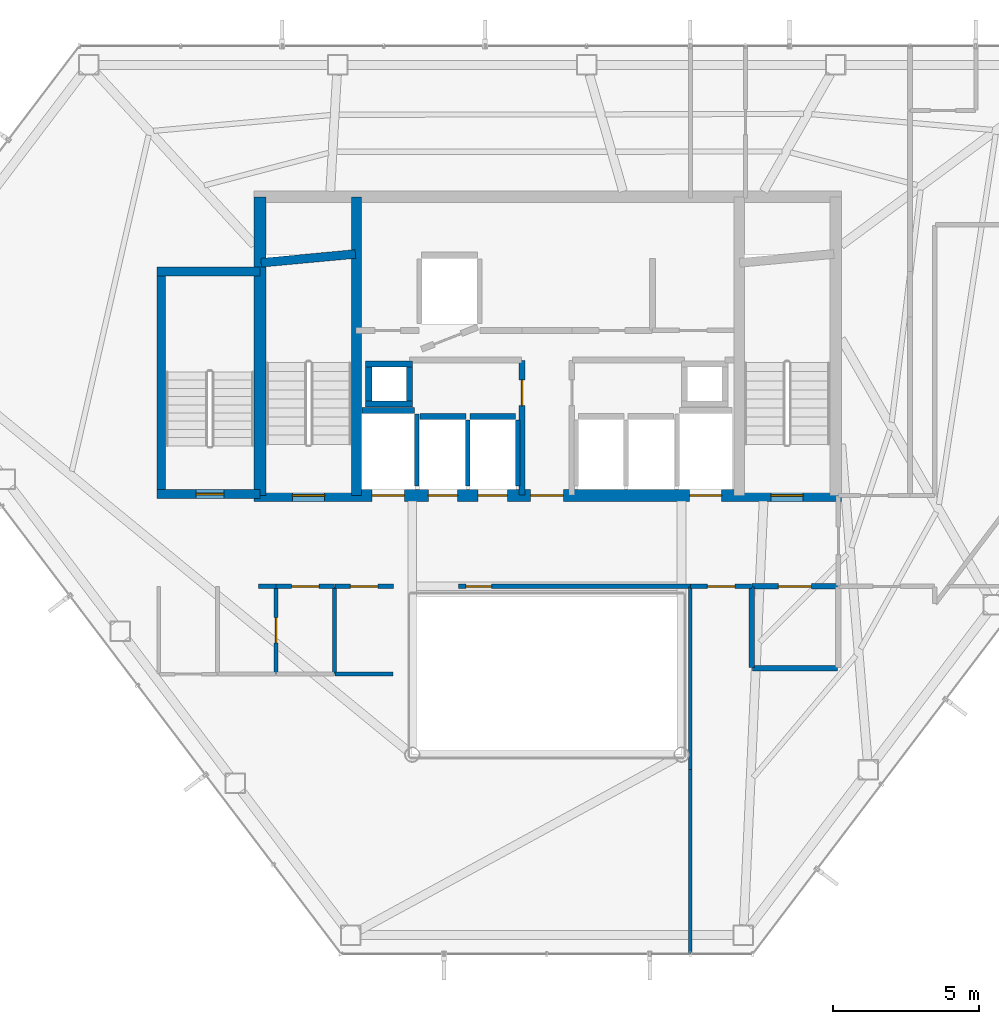
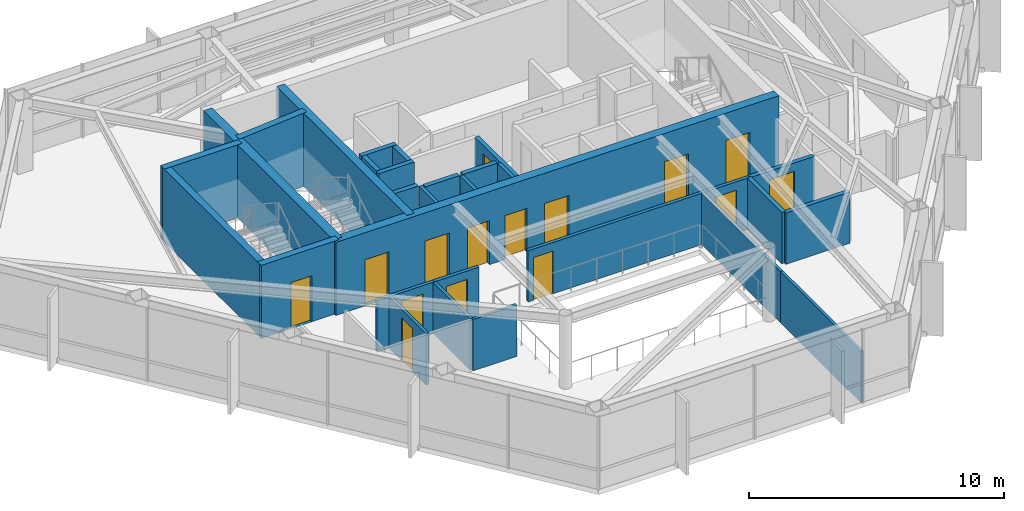
# One storey, part 25 of 28: 31 walls, 15 doors, 15 openings.
"""IFC4 building model written with IfcOpenShell, lengths in metres."""

from ifc_helpers import new_model, si_unit, direction, frame, frame_2d, origin, place, context, subcontext, project, spatial, rectangle, extrude, material, layer, layer_set, type_object, element, fill, save


model = new_model("IFC4")

# Units and contexts
model_context = context("Model", 3, precision=1e-05, world=origin(), true_north=direction((0.0, 1.0)))
body_context = subcontext(model_context, "Body", "Model", "MODEL_VIEW")
ifc_project = project(units=[si_unit("LENGTHUNIT", "METRE"), si_unit("AREAUNIT", "SQUARE_METRE"), si_unit("VOLUMEUNIT", "CUBIC_METRE"), si_unit("PLANEANGLEUNIT", "RADIAN"), si_unit("MASSUNIT", "GRAM", prefix="KILO")], contexts=[model_context])

# Site, building, storey
site_placement = place(None, origin())
site = spatial("IfcSite", under=ifc_project, at=site_placement, CompositionType="ELEMENT")
building_placement = place(site_placement, origin())
building = spatial("IfcBuilding", under=site, at=building_placement, Name="Zarrinselat Tower", CompositionType="ELEMENT")
storey_placement = place(building_placement, frame((0.0, 0.0, 187.0)))
storey = spatial("IfcBuildingStorey", under=building, at=storey_placement, Name="L46", CompositionType="ELEMENT", Elevation=187.0)

# Wall, opening, door
ifc_material_1 = material(Name="Concrete C40/50", Category="concrete")
ifc_layer_1 = layer(ifc_material_1, 0.18994140625)
ifc_layer_set_1 = layer_set([ifc_layer_1], Name="Concrete C40/50")
wall_type_1 = type_object("IfcWallType", Name="WAL-PART-EI120", PredefinedType="PARTITIONING", material=ifc_layer_set_1)
wall_1_placement = place(storey_placement, frame((45.405029296875, 30.14990234375, 0.0), z_axis=(0.0, 0.0, 1.0), x_axis=(1.0, 0.0, 0.0)))
wall_1 = element("IfcWall", 1, at=wall_1_placement, inside=storey, type_object=wall_type_1, Name="L46 Partition Wall 12", PredefinedType="PARTITIONING", context=body_context, shape_type="SweptSolid", body=[
    extrude(rectangle(XDim=2.925048828125, YDim=0.18994140625, at=frame_2d((1.46240234375, 0.0))), origin(), (0.0, 0.0, 1.0), 2.45703125),
])
opening_1_placement = place(wall_1_placement, frame((0.902587890625, 0.0, 0.0)))
opening_1 = element("IfcOpeningElement", 2, at=opening_1_placement, cuts=wall_1, Name="Opening ID-02", PredefinedType="OPENING", context=body_context, shape_type="SweptSolid", body=[
    extrude(rectangle(XDim=1.1201171875, YDim=2.050048828125, at=frame_2d((0.56005859375, 1.02490234375))), frame((0.0, 0.10498046875, 0.0), z_axis=(0.0, -1.0, 0.0), x_axis=(1.0, 0.0, 0.0)), (0.0, 0.0, 1.0), 0.2099609375),
])
ifc_material_2 = material(Name="Steel S355J2", Category="steel")
door_type_1 = type_object("IfcDoorType", Name="DR-INT-FD60-W", OperationType="NOTDEFINED", PredefinedType="DOOR", material=ifc_material_2)
door_1_placement = place(opening_1_placement, origin())
door_1 = element("IfcDoor", 3, at=door_1_placement, inside=storey, type_object=door_type_1, Name="L46 Interior Door P12", OperationType="SINGLE_SWING_LEFT", OverallHeight=2.050048828125, OverallWidth=1.1201171875, PredefinedType="DOOR", context=body_context, shape_type="SweptSolid", body=[
    extrude(rectangle(XDim=1.1201171875, YDim=2.050048828125, at=frame_2d((0.56005859375, 1.02490234375))), frame((0.0, 0.02490234375, 0.0), z_axis=(0.0, -1.0, 0.0), x_axis=(1.0, 0.0, 0.0)), (0.0, 0.0, 1.0), 0.050048828125),
])
fill(opening_1, door_1)

# Walls
wall_2_placement = place(storey_placement, frame((45.419921875, 27.35009765625, 0.0), z_axis=(0.0, 0.0, 1.0), x_axis=(1.0, 0.0, 0.0)))
element("IfcWall", 4, at=wall_2_placement, inside=storey, type_object=wall_type_1, Name="L46 Partition Wall 19", PredefinedType="PARTITIONING", context=body_context, shape_type="SweptSolid", body=[
    extrude(rectangle(XDim=2.91015625, YDim=0.18994140625, at=frame_2d((1.455078125, 0.0))), origin(), (0.0, 0.0, 1.0), 2.45703125),
])
wall_3_placement = place(storey_placement, frame((45.39990234375, 27.3701171875, 0.0), z_axis=(0.0, 0.0, 1.0), x_axis=(0.0, 1.0, 0.0)))
element("IfcWall", 5, at=wall_3_placement, inside=storey, type_object=wall_type_1, Name="L46 Partition Wall 20", PredefinedType="PARTITIONING", context=body_context, shape_type="SweptSolid", body=[
    extrude(rectangle(XDim=2.759765625, YDim=0.18994140625, at=frame_2d((1.3798828125, 0.0))), origin(), (0.0, 0.0, 1.0), 2.45703125),
])
ifc_material_3 = material(Name="Fire-Rated Gypsum Board Partition", Category="gypsum")
ifc_layer_2 = layer(ifc_material_3, 0.14990234375)
ifc_layer_set_2 = layer_set([ifc_layer_2], Name="Fire-Rated Gypsum Board Partition")
wall_type_2 = type_object("IfcWallType", Name="WAL-PART-EI60", PredefinedType="PARTITIONING", material=ifc_layer_set_2)
wall_4_placement = place(storey_placement, frame((28.550048828125, 30.14990234375, 0.0), z_axis=(0.0, 0.0, 1.0), x_axis=(1.0, 0.0, 0.0)))
element("IfcWall", 6, at=wall_4_placement, inside=storey, type_object=wall_type_2, Name="L46 Partition Wall 14", PredefinedType="PARTITIONING", context=body_context, shape_type="SweptSolid", body=[
    extrude(rectangle(XDim=0.594970703125, YDim=0.14990234375, at=frame_2d((0.29736328125, 0.0))), origin(), (0.0, 0.0, 1.0), 2.45703125),
])

# Wall, opening, door
wall_5_placement = place(storey_placement, frame((29.155029296875, 30.14990234375, 0.0), z_axis=(0.0, 0.0, 1.0), x_axis=(1.0, 0.0, 0.0)))
wall_5 = element("IfcWall", 7, at=wall_5_placement, inside=storey, type_object=wall_type_2, Name="L46 Partition Wall 15", PredefinedType="PARTITIONING", context=body_context, shape_type="SweptSolid", body=[
    extrude(rectangle(XDim=1.989990234375, YDim=0.14990234375, at=frame_2d((0.9951171875, 0.0))), origin(), (0.0, 0.0, 1.0), 2.45703125),
])
opening_2_placement = place(wall_5_placement, frame((0.52490234375, 0.0, 0.0)))
opening_2 = element("IfcOpeningElement", 8, at=opening_2_placement, cuts=wall_5, Name="Opening ID-04", PredefinedType="OPENING", context=body_context, shape_type="SweptSolid", body=[
    extrude(rectangle(XDim=0.93994140625, YDim=2.050048828125, at=frame_2d((0.469970703125, 1.02490234375))), frame((0.0, 0.0849609375, 0.0), z_axis=(0.0, -1.0, 0.0), x_axis=(1.0, 0.0, 0.0)), (0.0, 0.0, 1.0), 0.169921875),
])
ifc_material_4 = material(Name="Fire-Rated Gypsum Board Partition")
door_type_2 = type_object("IfcDoorType", Name="DR-INT-FD30-ENT", OperationType="NOTDEFINED", PredefinedType="DOOR", material=ifc_material_4)
door_2_placement = place(opening_2_placement, origin())
door_2 = element("IfcDoor", 9, at=door_2_placement, inside=storey, type_object=door_type_2, Name="L46 Interior Door P15", OperationType="SINGLE_SWING_LEFT", OverallHeight=2.050048828125, OverallWidth=0.93994140625, PredefinedType="DOOR", context=body_context, shape_type="SweptSolid", body=[
    extrude(rectangle(XDim=0.93994140625, YDim=2.050048828125, at=frame_2d((0.469970703125, 1.02490234375))), frame((0.0, 0.02490234375, 0.0), z_axis=(0.0, -1.0, 0.0), x_axis=(1.0, 0.0, 0.0)), (0.0, 0.0, 1.0), 0.050048828125),
])
fill(opening_2, door_2)

wall_6_placement = place(storey_placement, frame((31.155029296875, 30.14990234375, 0.0), z_axis=(0.0, 0.0, 1.0), x_axis=(1.0, 0.0, 0.0)))
wall_6 = element("IfcWall", 10, at=wall_6_placement, inside=storey, type_object=wall_type_2, Name="L46 Partition Wall 16", PredefinedType="PARTITIONING", context=body_context, shape_type="SweptSolid", body=[
    extrude(rectangle(XDim=2.010009765625, YDim=0.14990234375, at=frame_2d((1.0048828125, 0.0))), origin(), (0.0, 0.0, 1.0), 2.45703125),
])
opening_3_placement = place(wall_6_placement, frame((0.534912109375, 0.0, 0.0)))
opening_3 = element("IfcOpeningElement", 11, at=opening_3_placement, cuts=wall_6, Name="Opening ID-04", PredefinedType="OPENING", context=body_context, shape_type="SweptSolid", body=[
    extrude(rectangle(XDim=0.93994140625, YDim=2.050048828125, at=frame_2d((0.469970703125, 1.02490234375))), frame((0.0, 0.0849609375, 0.0), z_axis=(0.0, -1.0, 0.0), x_axis=(1.0, 0.0, 0.0)), (0.0, 0.0, 1.0), 0.169921875),
])
door_3_placement = place(opening_3_placement, origin())
door_3 = element("IfcDoor", 12, at=door_3_placement, inside=storey, type_object=door_type_2, Name="L46 Interior Door P16", OperationType="SINGLE_SWING_RIGHT", OverallHeight=2.050048828125, OverallWidth=0.93994140625, PredefinedType="DOOR", context=body_context, shape_type="SweptSolid", body=[
    extrude(rectangle(XDim=0.93994140625, YDim=2.050048828125, at=frame_2d((0.469970703125, 1.02490234375))), frame((0.0, 0.02490234375, 0.0), z_axis=(0.0, -1.0, 0.0), x_axis=(1.0, 0.0, 0.0)), (0.0, 0.0, 1.0), 0.050048828125),
])
fill(opening_3, door_3)

wall_7_placement = place(storey_placement, frame((35.385009765625, 30.14990234375, 0.0), z_axis=(0.0, 0.0, 1.0), x_axis=(1.0, 0.0, 0.0)))
wall_7 = element("IfcWall", 13, at=wall_7_placement, inside=storey, type_object=wall_type_2, Name="L46 Partition Wall 17", PredefinedType="PARTITIONING", context=body_context, shape_type="SweptSolid", body=[
    extrude(rectangle(XDim=7.909912109375, YDim=0.14990234375, at=frame_2d((3.955078125, 0.0))), origin(), (0.0, 0.0, 1.0), 2.45703125),
])
opening_4_placement = place(wall_7_placement, frame((0.25, 0.0, 0.0)))
opening_4 = element("IfcOpeningElement", 14, at=opening_4_placement, cuts=wall_7, Name="Opening ID-03", PredefinedType="OPENING", context=body_context, shape_type="SweptSolid", body=[
    extrude(rectangle(XDim=0.8798828125, YDim=2.050048828125, at=frame_2d((0.43994140625, 1.02490234375))), frame((0.0, 0.0849609375, 0.0), z_axis=(0.0, -1.0, 0.0), x_axis=(1.0, 0.0, 0.0)), (0.0, 0.0, 1.0), 0.169921875),
])
ifc_material_5 = material(Name="Steel S355J2", Category="steel")
door_type_3 = type_object("IfcDoorType", Name="DR-INT-FD60-S", OperationType="NOTDEFINED", PredefinedType="DOOR", material=ifc_material_5)
door_4_placement = place(opening_4_placement, origin())
door_4 = element("IfcDoor", 15, at=door_4_placement, inside=storey, type_object=door_type_3, Name="L46 Interior Door P17", OperationType="SINGLE_SWING_LEFT", OverallHeight=2.050048828125, OverallWidth=0.8798828125, PredefinedType="DOOR", context=body_context, shape_type="SweptSolid", body=[
    extrude(rectangle(XDim=0.8798828125, YDim=2.050048828125, at=frame_2d((0.43994140625, 1.02490234375))), frame((0.0, 0.02490234375, 0.0), z_axis=(0.0, -1.0, 0.0), x_axis=(1.0, 0.0, 0.0)), (0.0, 0.0, 1.0), 0.050048828125),
])
fill(opening_4, door_4)

wall_8_placement = place(storey_placement, frame((43.304931640625, 30.14990234375, 0.0), z_axis=(0.0, 0.0, 1.0), x_axis=(1.0, 0.0, 0.0)))
wall_8 = element("IfcWall", 16, at=wall_8_placement, inside=storey, type_object=wall_type_2, Name="L46 Partition Wall 18", PredefinedType="PARTITIONING", context=body_context, shape_type="SweptSolid", body=[
    extrude(rectangle(XDim=2.090087890625, YDim=0.14990234375, at=frame_2d((1.044921875, 0.0))), origin(), (0.0, 0.0, 1.0), 2.45703125),
])
opening_5_placement = place(wall_8_placement, frame((0.574951171875, 0.0, 0.0)))
opening_5 = element("IfcOpeningElement", 17, at=opening_5_placement, cuts=wall_8, Name="Opening ID-04", PredefinedType="OPENING", context=body_context, shape_type="SweptSolid", body=[
    extrude(rectangle(XDim=0.93994140625, YDim=2.050048828125, at=frame_2d((0.469970703125, 1.02490234375))), frame((0.0, 0.0849609375, 0.0), z_axis=(0.0, -1.0, 0.0), x_axis=(1.0, 0.0, 0.0)), (0.0, 0.0, 1.0), 0.169921875),
])
door_5_placement = place(opening_5_placement, origin())
door_5 = element("IfcDoor", 18, at=door_5_placement, inside=storey, type_object=door_type_2, Name="L46 Interior Door P18", OperationType="SINGLE_SWING_RIGHT", OverallHeight=2.050048828125, OverallWidth=0.93994140625, PredefinedType="DOOR", context=body_context, shape_type="SweptSolid", body=[
    extrude(rectangle(XDim=0.93994140625, YDim=2.050048828125, at=frame_2d((0.469970703125, 1.02490234375))), frame((0.0, 0.02490234375, 0.0), z_axis=(0.0, -1.0, 0.0), x_axis=(1.0, 0.0, 0.0)), (0.0, 0.0, 1.0), 0.050048828125),
])
fill(opening_5, door_5)

ifc_material_6 = material(Name="Concrete C40/50", Category="concrete")
ifc_layer_3 = layer(ifc_material_6, 0.199951171875)
ifc_layer_set_3 = layer_set([ifc_layer_3], Name="Concrete C40/50")
wall_type_3 = type_object("IfcWallType", Name="WAL-PART-PLANT", PredefinedType="PARTITIONING", material=ifc_layer_set_3)
wall_9_placement = place(storey_placement, frame((37.550048828125, 33.264892578125, 0.0), z_axis=(0.0, 0.0, 1.0), x_axis=(0.0, 1.0, 0.0)))
wall_9 = element("IfcWall", 19, at=wall_9_placement, inside=storey, type_object=wall_type_3, Name="L46 Partition Wall 1", PredefinedType="PARTITIONING", context=body_context, shape_type="SweptSolid", body=[
    extrude(rectangle(XDim=4.59521484375, YDim=0.199951171875, at=frame_2d((2.297607421875, 0.0))), origin(), (0.0, 0.0, 1.0), 2.45703125),
])
opening_6_placement = place(wall_9_placement, frame((3.0576171875, 0.0, 0.0)))
opening_6 = element("IfcOpeningElement", 20, at=opening_6_placement, cuts=wall_9, Name="Opening ID-03", PredefinedType="OPENING", context=body_context, shape_type="SweptSolid", body=[
    extrude(rectangle(XDim=0.8798828125, YDim=2.050048828125, at=frame_2d((0.43994140625, 1.02490234375))), frame((0.0, 0.10986328125, 0.0), z_axis=(0.0, -1.0, 0.0), x_axis=(1.0, 0.0, 0.0)), (0.0, 0.0, 1.0), 0.219970703125),
])
door_6_placement = place(opening_6_placement, origin())
door_6 = element("IfcDoor", 21, at=door_6_placement, inside=storey, type_object=door_type_3, Name="L46 Interior Door P1", OperationType="SINGLE_SWING_RIGHT", OverallHeight=2.050048828125, OverallWidth=0.8798828125, PredefinedType="DOOR", context=body_context, shape_type="SweptSolid", body=[
    extrude(rectangle(XDim=0.8798828125, YDim=2.050048828125, at=frame_2d((0.43994140625, 1.02490234375))), frame((0.0, 0.02490234375, 0.0), z_axis=(0.0, -1.0, 0.0), x_axis=(1.0, 0.0, 0.0)), (0.0, 0.0, 1.0), 0.050048828125),
])
fill(opening_6, door_6)

# Walls
ifc_material_7 = material(Name="Fire-Rated Gypsum Board Partition", Category="gypsum")
ifc_layer_4 = layer(ifc_material_7, 0.1201171875)
ifc_layer_set_4 = layer_set([ifc_layer_4], Name="Fire-Rated Gypsum Board Partition")
wall_type_4 = type_object("IfcWallType", Name="WAL-PART-STD", PredefinedType="PARTITIONING", material=ifc_layer_set_4)
wall_10_placement = place(storey_placement, frame((43.300048828125, 23.899658203125, 0.0), z_axis=(0.0, 0.0, 1.0), x_axis=(0.0, 1.0, 0.0)))
element("IfcWall", 22, at=wall_10_placement, inside=storey, type_object=wall_type_4, Name="L46 Partition Wall 41", PredefinedType="PARTITIONING", context=body_context, shape_type="SweptSolid", body=[
    extrude(rectangle(XDim=6.230224609375, YDim=0.1201171875, at=frame_2d((3.115234375, 0.0))), origin(), (0.0, 0.0, 1.0), 2.45703125),
])
wall_11_placement = place(storey_placement, frame((43.300048828125, 17.604248046875, 0.0), z_axis=(0.0, 0.0, 1.0), x_axis=(0.0, 1.0, 0.0)))
element("IfcWall", 23, at=wall_11_placement, inside=storey, type_object=wall_type_4, Name="L46 Partition Wall 42", PredefinedType="PARTITIONING", context=body_context, shape_type="SweptSolid", body=[
    extrude(rectangle(XDim=6.29541015625, YDim=0.1201171875, at=frame_2d((3.147705078125, 0.0))), origin(), (0.0, 0.0, 1.0), 2.45703125),
])

# Wall, opening, door
ifc_material_8 = material(Name="Fire-Rated Gypsum Board Partition", Category="gypsum")
ifc_layer_5 = layer(ifc_material_8, 0.135009765625)
ifc_layer_set_5 = layer_set([ifc_layer_5], Name="Fire-Rated Gypsum Board Partition")
wall_type_5 = type_object("IfcWallType", Name="WAL-PART-WET", PredefinedType="PARTITIONING", material=ifc_layer_set_5)
wall_12_placement = place(storey_placement, frame((29.14990234375, 27.169921875, 0.0), z_axis=(0.0, 0.0, 1.0), x_axis=(0.0, 1.0, 0.0)))
wall_12 = element("IfcWall", 24, at=wall_12_placement, inside=storey, type_object=wall_type_5, Name="L46 Partition Wall 36", PredefinedType="PARTITIONING", context=body_context, shape_type="SweptSolid", body=[
    extrude(rectangle(XDim=2.9599609375, YDim=0.135009765625, at=frame_2d((1.47998046875, 0.0))), origin(), (0.0, 0.0, 1.0), 2.45703125),
])
opening_7_placement = place(wall_12_placement, frame((1.050048828125, 0.0, 0.0)))
opening_7 = element("IfcOpeningElement", 25, at=opening_7_placement, cuts=wall_12, Name="Opening ID-06", PredefinedType="OPENING", context=body_context, shape_type="SweptSolid", body=[
    extrude(rectangle(XDim=0.860107421875, YDim=2.050048828125, at=frame_2d((0.43017578125, 1.02490234375))), frame((0.0, 0.077392578125, 0.0), z_axis=(0.0, -1.0, 0.0), x_axis=(1.0, 0.0, 0.0)), (0.0, 0.0, 1.0), 0.155029296875),
])
ifc_material_9 = material(Name="Extruded Aluminium Alloy EN AW-6063 T6", Category="aluminium")
door_type_4 = type_object("IfcDoorType", Name="DR-INT-WET-900", OperationType="NOTDEFINED", PredefinedType="DOOR", material=ifc_material_9)
door_7_placement = place(opening_7_placement, origin())
door_7 = element("IfcDoor", 26, at=door_7_placement, inside=storey, type_object=door_type_4, Name="L46 Interior Door P36", OperationType="SINGLE_SWING_RIGHT", OverallHeight=2.050048828125, OverallWidth=0.860107421875, PredefinedType="DOOR", context=body_context, shape_type="SweptSolid", body=[
    extrude(rectangle(XDim=0.860107421875, YDim=2.050048828125, at=frame_2d((0.43017578125, 1.02490234375))), frame((0.0, 0.02490234375, 0.0), z_axis=(0.0, -1.0, 0.0), x_axis=(1.0, 0.0, 0.0)), (0.0, 0.0, 1.0), 0.050048828125),
])
fill(opening_7, door_7)

# Walls
wall_13_placement = place(storey_placement, frame((31.14990234375, 27.169921875, 0.0), z_axis=(0.0, 0.0, 1.0), x_axis=(0.0, 1.0, 0.0)))
element("IfcWall", 27, at=wall_13_placement, inside=storey, type_object=wall_type_5, Name="L46 Partition Wall 38", PredefinedType="PARTITIONING", context=body_context, shape_type="SweptSolid", body=[
    extrude(rectangle(XDim=2.9599609375, YDim=0.135009765625, at=frame_2d((1.47998046875, 0.0))), origin(), (0.0, 0.0, 1.0), 2.45703125),
])
wall_14_placement = place(storey_placement, frame((31.169921875, 27.14990234375, 0.0), z_axis=(0.0, 0.0, 1.0), x_axis=(1.0, 0.0, 0.0)))
element("IfcWall", 28, at=wall_14_placement, inside=storey, type_object=wall_type_5, Name="L46 Partition Wall 40", PredefinedType="PARTITIONING", context=body_context, shape_type="SweptSolid", body=[
    extrude(rectangle(XDim=1.97998046875, YDim=0.135009765625, at=frame_2d((0.989990234375, 0.0))), origin(), (0.0, 0.0, 1.0), 2.45703125),
])
ifc_material_10 = material(Name="Concrete C40/50", Category="concrete")
ifc_layer_6 = layer(ifc_material_10, 0.2099609375)
ifc_layer_set_6 = layer_set([ifc_layer_6], Name="Concrete C40/50")
wall_type_6 = type_object("IfcWallType", Name="WAL-SHAFT-210", PredefinedType="SOLIDWALL", material=ifc_layer_set_6)
wall_15_placement = place(storey_placement, frame((32.080078125, 36.155029296875, 0.0), z_axis=(0.0, 0.0, 1.0), x_axis=(1.0, 0.0, 0.0)))
element("IfcWall", 29, at=wall_15_placement, inside=storey, type_object=wall_type_6, Name="L46 Lift FFL1 North Shaft Wall", PredefinedType="SOLIDWALL", context=body_context, shape_type="SweptSolid", body=[
    extrude(rectangle(XDim=1.7998046875, YDim=0.2099609375, at=frame_2d((0.89990234375, 0.0))), origin(), (0.0, 0.0, 1.0), 2.471923828125),
])
wall_16_placement = place(storey_placement, frame((33.949951171875, 33.580078125, 0.0), z_axis=(0.0, 0.0, 1.0), x_axis=(0.0, 1.0, 0.0)))
element("IfcWall", 30, at=wall_16_placement, inside=storey, type_object=wall_type_6, Name="L46 Lift FFL1 E Shaft Wall", PredefinedType="SOLIDWALL", context=body_context, shape_type="SweptSolid", body=[
    extrude(rectangle(XDim=2.449951171875, YDim=0.159912109375, at=frame_2d((1.22509765625, 0.0))), origin(), (0.0, 0.0, 1.0), 2.471923828125),
])
wall_17_placement = place(storey_placement, frame((34.070068359375, 35.955078125, 0.0), z_axis=(0.0, 0.0, 1.0), x_axis=(1.0, 0.0, 0.0)))
element("IfcWall", 31, at=wall_17_placement, inside=storey, type_object=wall_type_6, Name="L46 Lift PL5 North Shaft Wall", PredefinedType="SOLIDWALL", context=body_context, shape_type="SweptSolid", body=[
    extrude(rectangle(XDim=1.559814453125, YDim=0.2099609375, at=frame_2d((0.77978515625, 0.0))), origin(), (0.0, 0.0, 1.0), 2.471923828125),
])
wall_18_placement = place(storey_placement, frame((35.699951171875, 33.580078125, 0.0), z_axis=(0.0, 0.0, 1.0), x_axis=(0.0, 1.0, 0.0)))
element("IfcWall", 32, at=wall_18_placement, inside=storey, type_object=wall_type_6, Name="L46 Lift PL5 E Shaft Wall", PredefinedType="SOLIDWALL", context=body_context, shape_type="SweptSolid", body=[
    extrude(rectangle(XDim=2.25, YDim=0.159912109375, at=frame_2d((1.125, 0.0))), origin(), (0.0, 0.0, 1.0), 2.471923828125),
])
wall_19_placement = place(storey_placement, frame((35.77001953125, 35.955078125, 0.0), z_axis=(0.0, 0.0, 1.0), x_axis=(1.0, 0.0, 0.0)))
element("IfcWall", 33, at=wall_19_placement, inside=storey, type_object=wall_type_6, Name="L46 Lift PL6 North Shaft Wall", PredefinedType="SOLIDWALL", context=body_context, shape_type="SweptSolid", body=[
    extrude(rectangle(XDim=1.56005859375, YDim=0.2099609375, at=frame_2d((0.780029296875, 0.0))), origin(), (0.0, 0.0, 1.0), 2.471923828125),
])
wall_20_placement = place(storey_placement, frame((37.39990234375, 33.580078125, 0.0), z_axis=(0.0, 0.0, 1.0), x_axis=(0.0, 1.0, 0.0)))
element("IfcWall", 34, at=wall_20_placement, inside=storey, type_object=wall_type_6, Name="L46 Lift PL6 E Shaft Wall", PredefinedType="SOLIDWALL", context=body_context, shape_type="SweptSolid", body=[
    extrude(rectangle(XDim=2.25, YDim=0.159912109375, at=frame_2d((1.125, 0.0))), origin(), (0.0, 0.0, 1.0), 2.471923828125),
])
for number, where, z_axis, x_axis, name in (
    (35, (32.2099609375, 36.375, 0.0), (0.0, 0.0, 1.0), (1.0, 0.0, 0.0), "L46 Core Riser RSR-W S Shaft Wall"),
    (36, (32.2099609375, 37.7451171875, 0.0), (0.0, 0.0, 1.0), (1.0, 0.0, 0.0), "L46 Core Riser RSR-W N Shaft Wall"),
):
    element("IfcWall", number, at=place(storey_placement, frame(where, z_axis=z_axis, x_axis=x_axis)), inside=storey, type_object=wall_type_6, Name=name, PredefinedType="SOLIDWALL", context=body_context, shape_type="SweptSolid", body=[
        extrude(rectangle(XDim=1.60009765625, YDim=0.2099609375, at=frame_2d((0.800048828125, 0.0))), origin(), (0.0, 0.0, 1.0), 3.5),
    ])
for number, where, z_axis, x_axis, name in (
    (37, (32.31494140625, 36.485107421875, 0.0), (0.0, 0.0, 1.0), (0.0, 1.0, 0.0), "L46 Core Riser RSR-W W Shaft Wall"),
    (38, (33.705078125, 36.485107421875, 0.0), (0.0, 0.0, 1.0), (0.0, 1.0, 0.0), "L46 Core Riser RSR-W E Shaft Wall"),
):
    element("IfcWall", number, at=place(storey_placement, frame(where, z_axis=z_axis, x_axis=x_axis)), inside=storey, type_object=wall_type_6, Name=name, PredefinedType="SOLIDWALL", context=body_context, shape_type="SweptSolid", body=[
        extrude(rectangle(XDim=1.14990234375, YDim=0.2099609375, at=frame_2d((0.574951171875, 0.0))), origin(), (0.0, 0.0, 1.0), 3.5),
    ])
ifc_material_11 = material(Name="Concrete C40/50", Category="concrete")
ifc_layer_7 = layer(ifc_material_11, 0.300048828125)
ifc_layer_set_7 = layer_set([ifc_layer_7], Name="Concrete C40/50")
wall_type_7 = type_object("IfcWallType", Name="WAL-SHEAR-300", PredefinedType="SHEAR", material=ifc_layer_set_7)
wall_21_placement = place(storey_placement, frame((28.639892578125, 41.199951171875, 0.0), z_axis=(0.0, 0.0, 1.0), x_axis=(0.995687118776, 0.092774789157, 0.0)))
element("IfcWall", 39, at=wall_21_placement, inside=storey, type_object=wall_type_7, Name="L46 Stair 1 North Shaft Wall", PredefinedType="SHEAR", context=body_context, shape_type="SweptSolid", body=[
    extrude(rectangle(XDim=3.234130859375, YDim=0.300048828125, at=frame_2d((1.6171875, 0.0))), origin(), (0.0, 0.0, 1.0), 3.5),
])
wall_22_placement = place(storey_placement, frame((25.080078125, 40.89990234375, 0.0), z_axis=(0.0, 0.0, 1.0), x_axis=(1.0, 0.0, 0.0)))
element("IfcWall", 40, at=wall_22_placement, inside=storey, type_object=wall_type_7, Name="L46 Stair 3 North Shear Wall", PredefinedType="SHEAR", context=body_context, shape_type="SweptSolid", body=[
    extrude(rectangle(XDim=3.52001953125, YDim=0.300048828125, at=frame_2d((1.760009765625, 0.0))), origin(), (0.0, 0.0, 1.0), 3.5),
])

# Wall, opening, door
wall_23_placement = place(storey_placement, frame((25.080078125, 33.300048828125, 0.0), z_axis=(0.0, 0.0, 1.0), x_axis=(1.0, 0.0, 0.0)))
wall_23 = element("IfcWall", 41, at=wall_23_placement, inside=storey, type_object=wall_type_7, Name="L46 Stair 3 South Shear Wall", PredefinedType="SHEAR", context=body_context, shape_type="SweptSolid", body=[
    extrude(rectangle(XDim=3.52001953125, YDim=0.300048828125, at=frame_2d((1.760009765625, 0.0))), origin(), (0.0, 0.0, 1.0), 3.5),
])
opening_8_placement = place(wall_23_placement, frame((1.3349609375, 0.0, 0.0)))
opening_8 = element("IfcOpeningElement", 42, at=opening_8_placement, cuts=wall_23, Name="Opening SD-02", PredefinedType="OPENING", context=body_context, shape_type="SweptSolid", body=[
    extrude(rectangle(XDim=0.949951171875, YDim=2.199951171875, at=frame_2d((0.47509765625, 1.10009765625))), frame((0.0, 0.159912109375, 0.0), z_axis=(0.0, -1.0, 0.0), x_axis=(1.0, 0.0, 0.0)), (0.0, 0.0, 1.0), 0.320068359375),
])
ifc_material_12 = material(Name="Steel S355J2", Category="steel")
door_type_5 = type_object("IfcDoorType", Name="DR-STAIR-1050", OperationType="NOTDEFINED", PredefinedType="DOOR", material=ifc_material_12)
door_8_placement = place(opening_8_placement, origin())
door_8 = element("IfcDoor", 43, at=door_8_placement, inside=storey, type_object=door_type_5, Name="L46 Exit Stair 3 Fire Door", OperationType="SINGLE_SWING_LEFT", OverallHeight=2.199951171875, OverallWidth=0.949951171875, PredefinedType="DOOR", context=body_context, shape_type="SweptSolid", body=[
    extrude(rectangle(XDim=0.949951171875, YDim=2.199951171875, at=frame_2d((0.47509765625, 1.10009765625))), frame((0.0, 0.02490234375, 0.0), z_axis=(0.0, -1.0, 0.0), x_axis=(1.0, 0.0, 0.0)), (0.0, 0.0, 1.0), 0.050048828125),
])
fill(opening_8, door_8)

# Walls
wall_24_placement = place(storey_placement, frame((25.22998046875, 33.300048828125, 0.0), z_axis=(0.0, 0.0, 1.0), x_axis=(0.0, 1.0, 0.0)))
element("IfcWall", 44, at=wall_24_placement, inside=storey, type_object=wall_type_7, Name="L46 Stair 3 West Shear Wall", PredefinedType="SHEAR", context=body_context, shape_type="SweptSolid", body=[
    extrude(rectangle(XDim=7.599853515625, YDim=0.300048828125, at=frame_2d((3.7998046875, 0.0))), origin(), (0.0, 0.0, 1.0), 3.5),
])
ifc_material_13 = material(Name="Concrete C50/60", Category="concrete")
ifc_layer_8 = layer(ifc_material_13, 0.35009765625)
ifc_layer_set_8 = layer_set([ifc_layer_8], Name="Concrete C50/60")
wall_type_8 = type_object("IfcWallType", Name="WAL-SHEAR-350", PredefinedType="SHEAR", material=ifc_layer_set_8)
wall_25_placement = place(storey_placement, frame((31.89501953125, 33.25, 0.0), z_axis=(0.0, 0.0, 1.0), x_axis=(0.0, 1.0, 0.0)))
element("IfcWall", 45, at=wall_25_placement, inside=storey, type_object=wall_type_8, Name="L46 Core Shear Wall ST1E", PredefinedType="SHEAR", context=body_context, shape_type="SweptSolid", body=[
    extrude(rectangle(XDim=10.199951171875, YDim=0.35009765625, at=frame_2d((5.10009765625, 0.0))), origin(), (0.0, 0.0, 1.0), 3.5),
])

# Wall, openings, doors
ifc_material_14 = material(Name="Concrete C60/75", Category="concrete")
ifc_layer_9 = layer(ifc_material_14, 0.39990234375)
ifc_layer_set_9 = layer_set([ifc_layer_9], Name="Concrete C60/75")
wall_type_9 = type_object("IfcWallType", Name="WAL-SHEAR-400", PredefinedType="SHEAR", material=ifc_layer_set_9)
wall_26_placement = place(storey_placement, frame((28.39990234375, 33.25, 0.0), z_axis=(0.0, 0.0, 1.0), x_axis=(1.0, 0.0, 0.0)))
wall_26 = element("IfcWall", 46, at=wall_26_placement, inside=storey, type_object=wall_type_9, Name="L46 South Core Shear Wall", PredefinedType="SHEAR", context=body_context, shape_type="SweptSolid", body=[
    extrude(rectangle(XDim=20.06005859375, YDim=0.39990234375, at=frame_2d((10.030029296875, 0.0))), origin(), (0.0, 0.0, 1.0), 3.5),
])
opening_9_placement = place(wall_26_placement, frame((4.030029296875, 0.0, 0.0)))
opening_9 = element("IfcOpeningElement", 47, at=opening_9_placement, cuts=wall_26, Name="Opening LD-FFL1", PredefinedType="OPENING", context=body_context, shape_type="SweptSolid", body=[
    extrude(rectangle(XDim=1.10009765625, YDim=2.14990234375, at=frame_2d((0.550048828125, 1.074951171875))), frame((0.0, 0.2099609375, 0.0), z_axis=(0.0, -1.0, 0.0), x_axis=(1.0, 0.0, 0.0)), (0.0, 0.0, 1.0), 0.419921875),
])
opening_10_placement = place(wall_26_placement, frame((14.8701171875, 0.0, 0.0)))
opening_10 = element("IfcOpeningElement", 48, at=opening_10_placement, cuts=wall_26, Name="Opening LD-FFL2", PredefinedType="OPENING", context=body_context, shape_type="SweptSolid", body=[
    extrude(rectangle(XDim=1.10009765625, YDim=2.14990234375, at=frame_2d((0.550048828125, 1.074951171875))), frame((0.0, 0.2099609375, 0.0), z_axis=(0.0, -1.0, 0.0), x_axis=(1.0, 0.0, 0.0)), (0.0, 0.0, 1.0), 0.419921875),
])
opening_11_placement = place(wall_26_placement, frame((5.949951171875, 0.0, 0.0)))
opening_11 = element("IfcOpeningElement", 49, at=opening_11_placement, cuts=wall_26, Name="Opening LD-PL5", PredefinedType="OPENING", context=body_context, shape_type="SweptSolid", body=[
    extrude(rectangle(XDim=1.0, YDim=2.10009765625, at=frame_2d((0.5, 1.050048828125))), frame((0.0, 0.2099609375, 0.0), z_axis=(0.0, -1.0, 0.0), x_axis=(1.0, 0.0, 0.0)), (0.0, 0.0, 1.0), 0.419921875),
])
opening_12_placement = place(wall_26_placement, frame((7.64990234375, 0.0, 0.0)))
opening_12 = element("IfcOpeningElement", 50, at=opening_12_placement, cuts=wall_26, Name="Opening LD-PL6", PredefinedType="OPENING", context=body_context, shape_type="SweptSolid", body=[
    extrude(rectangle(XDim=1.0, YDim=2.10009765625, at=frame_2d((0.5, 1.050048828125))), frame((0.0, 0.2099609375, 0.0), z_axis=(0.0, -1.0, 0.0), x_axis=(1.0, 0.0, 0.0)), (0.0, 0.0, 1.0), 0.419921875),
])
opening_13_placement = place(wall_26_placement, frame((1.31005859375, 0.0, 0.0)))
opening_13 = element("IfcOpeningElement", 51, at=opening_13_placement, cuts=wall_26, Name="Opening SD-01", PredefinedType="OPENING", context=body_context, shape_type="SweptSolid", body=[
    extrude(rectangle(XDim=1.10009765625, YDim=2.199951171875, at=frame_2d((0.550048828125, 1.10009765625))), frame((0.0, 0.2099609375, 0.0), z_axis=(0.0, -1.0, 0.0), x_axis=(1.0, 0.0, 0.0)), (0.0, 0.0, 1.0), 0.419921875),
])
opening_14_placement = place(wall_26_placement, frame((9.43994140625, 0.0, 0.0)))
opening_14 = element("IfcOpeningElement", 52, at=opening_14_placement, cuts=wall_26, Name="Opening ID-02", PredefinedType="OPENING", context=body_context, shape_type="SweptSolid", body=[
    extrude(rectangle(XDim=1.1201171875, YDim=2.050048828125, at=frame_2d((0.56005859375, 1.02490234375))), frame((0.0, 0.2099609375, 0.0), z_axis=(0.0, -1.0, 0.0), x_axis=(1.0, 0.0, 0.0)), (0.0, 0.0, 1.0), 0.419921875),
])
opening_15_placement = place(wall_26_placement, frame((17.64990234375, 0.0, 0.0)))
opening_15 = element("IfcOpeningElement", 53, at=opening_15_placement, cuts=wall_26, Name="Opening SD-01", PredefinedType="OPENING", context=body_context, shape_type="SweptSolid", body=[
    extrude(rectangle(XDim=1.10009765625, YDim=2.199951171875, at=frame_2d((0.550048828125, 1.10009765625))), frame((0.0, 0.2099609375, 0.0), z_axis=(0.0, -1.0, 0.0), x_axis=(1.0, 0.0, 0.0)), (0.0, 0.0, 1.0), 0.419921875),
])
door_9_placement = place(opening_14_placement, origin())
door_9 = element("IfcDoor", 54, at=door_9_placement, inside=storey, type_object=door_type_1, Name="L46 Core Service Vestibule Fire Door", OperationType="SINGLE_SWING_RIGHT", OverallHeight=2.050048828125, OverallWidth=1.1201171875, PredefinedType="DOOR", context=body_context, shape_type="SweptSolid", body=[
    extrude(rectangle(XDim=1.1201171875, YDim=2.050048828125, at=frame_2d((0.56005859375, 1.02490234375))), frame((0.0, 0.02490234375, 0.0), z_axis=(0.0, -1.0, 0.0), x_axis=(1.0, 0.0, 0.0)), (0.0, 0.0, 1.0), 0.050048828125),
])
fill(opening_14, door_9)
ifc_material_15 = material(Name="Steel S355J2", Category="steel")
door_type_6 = type_object("IfcDoorType", Name="DR-LIFT-FF-1100", OperationType="NOTDEFINED", PredefinedType="DOOR", material=ifc_material_15)
door_10_placement = place(opening_9_placement, origin())
door_10 = element("IfcDoor", 55, at=door_10_placement, inside=storey, type_object=door_type_6, Name="L46 Lift FFL1 Sliding Landing Door", OperationType="SLIDING_TO_LEFT", OverallHeight=2.14990234375, OverallWidth=1.10009765625, PredefinedType="DOOR", context=body_context, shape_type="SweptSolid", body=[
    extrude(rectangle(XDim=1.10009765625, YDim=2.14990234375, at=frame_2d((0.550048828125, 1.074951171875))), frame((0.0, 0.02490234375, 0.0), z_axis=(0.0, -1.0, 0.0), x_axis=(1.0, 0.0, 0.0)), (0.0, 0.0, 1.0), 0.050048828125),
])
fill(opening_9, door_10)
door_11_placement = place(opening_10_placement, origin())
door_11 = element("IfcDoor", 56, at=door_11_placement, inside=storey, type_object=door_type_6, Name="L46 Lift FFL2 Sliding Landing Door", OperationType="SLIDING_TO_RIGHT", OverallHeight=2.14990234375, OverallWidth=1.10009765625, PredefinedType="DOOR", context=body_context, shape_type="SweptSolid", body=[
    extrude(rectangle(XDim=1.10009765625, YDim=2.14990234375, at=frame_2d((0.550048828125, 1.074951171875))), frame((0.0, 0.02490234375, 0.0), z_axis=(0.0, -1.0, 0.0), x_axis=(1.0, 0.0, 0.0)), (0.0, 0.0, 1.0), 0.050048828125),
])
fill(opening_10, door_11)
ifc_material_16 = material(Name="Steel S355J2", Category="steel")
door_type_7 = type_object("IfcDoorType", Name="DR-LIFT-PS-1000", OperationType="NOTDEFINED", PredefinedType="DOOR", material=ifc_material_16)
door_12_placement = place(opening_11_placement, origin())
door_12 = element("IfcDoor", 57, at=door_12_placement, inside=storey, type_object=door_type_7, Name="L46 Lift PL5 Sliding Landing Door", OperationType="SLIDING_TO_LEFT", OverallHeight=2.10009765625, OverallWidth=1.0, PredefinedType="DOOR", context=body_context, shape_type="SweptSolid", body=[
    extrude(rectangle(XDim=1.0, YDim=2.10009765625, at=frame_2d((0.5, 1.050048828125))), frame((0.0, 0.02490234375, 0.0), z_axis=(0.0, -1.0, 0.0), x_axis=(1.0, 0.0, 0.0)), (0.0, 0.0, 1.0), 0.050048828125),
])
fill(opening_11, door_12)
door_13_placement = place(opening_12_placement, origin())
door_13 = element("IfcDoor", 58, at=door_13_placement, inside=storey, type_object=door_type_7, Name="L46 Lift PL6 Sliding Landing Door", OperationType="SLIDING_TO_RIGHT", OverallHeight=2.10009765625, OverallWidth=1.0, PredefinedType="DOOR", context=body_context, shape_type="SweptSolid", body=[
    extrude(rectangle(XDim=1.0, YDim=2.10009765625, at=frame_2d((0.5, 1.050048828125))), frame((0.0, 0.02490234375, 0.0), z_axis=(0.0, -1.0, 0.0), x_axis=(1.0, 0.0, 0.0)), (0.0, 0.0, 1.0), 0.050048828125),
])
fill(opening_12, door_13)
ifc_material_17 = material(Name="Steel S355J2", Category="steel")
door_type_8 = type_object("IfcDoorType", Name="DR-STAIR-1100", OperationType="NOTDEFINED", PredefinedType="DOOR", material=ifc_material_17)
door_14_placement = place(opening_13_placement, origin())
door_14 = element("IfcDoor", 59, at=door_14_placement, inside=storey, type_object=door_type_8, Name="L46 Exit Stair 1 Fire Door", OperationType="SINGLE_SWING_LEFT", OverallHeight=2.199951171875, OverallWidth=1.10009765625, PredefinedType="DOOR", context=body_context, shape_type="SweptSolid", body=[
    extrude(rectangle(XDim=1.10009765625, YDim=2.199951171875, at=frame_2d((0.550048828125, 1.10009765625))), frame((0.0, 0.02490234375, 0.0), z_axis=(0.0, -1.0, 0.0), x_axis=(1.0, 0.0, 0.0)), (0.0, 0.0, 1.0), 0.050048828125),
])
fill(opening_13, door_14)
door_15_placement = place(opening_15_placement, origin())
door_15 = element("IfcDoor", 60, at=door_15_placement, inside=storey, type_object=door_type_8, Name="L46 Exit Stair 2 Fire Door", OperationType="SINGLE_SWING_RIGHT", OverallHeight=2.199951171875, OverallWidth=1.10009765625, PredefinedType="DOOR", context=body_context, shape_type="SweptSolid", body=[
    extrude(rectangle(XDim=1.10009765625, YDim=2.199951171875, at=frame_2d((0.550048828125, 1.10009765625))), frame((0.0, 0.02490234375, 0.0), z_axis=(0.0, -1.0, 0.0), x_axis=(1.0, 0.0, 0.0)), (0.0, 0.0, 1.0), 0.050048828125),
])
fill(opening_15, door_15)

# Wall
wall_27_placement = place(storey_placement, frame((28.60009765625, 33.25, 0.0), z_axis=(0.0, 0.0, 1.0), x_axis=(0.0, 1.0, 0.0)))
element("IfcWall", 61, at=wall_27_placement, inside=storey, type_object=wall_type_9, Name="L46 Core Shear Wall W", PredefinedType="SHEAR", context=body_context, shape_type="SweptSolid", body=[
    extrude(rectangle(XDim=10.199951171875, YDim=0.39990234375, at=frame_2d((5.10009765625, 0.0))), origin(), (0.0, 0.0, 1.0), 3.5),
])

save(model, "model.ifc")
